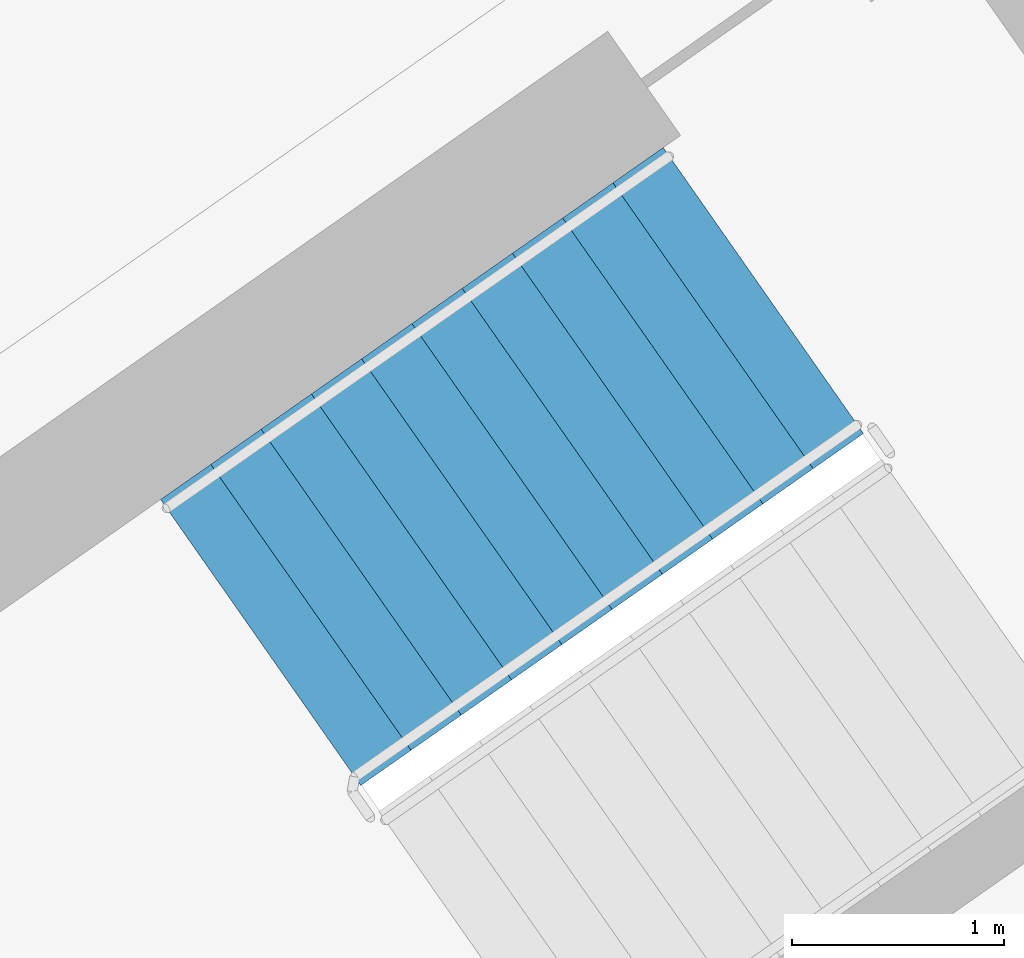
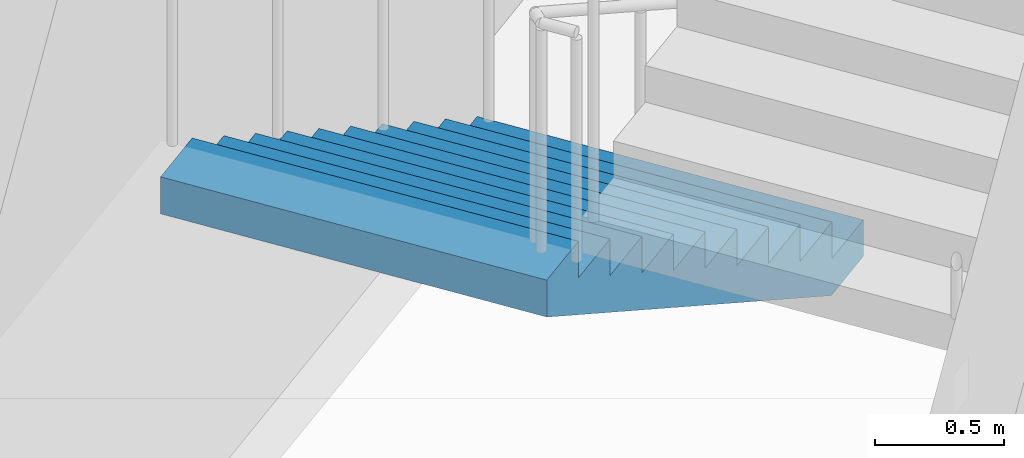
# One storey, part 17 of 28: 1 stair flight, 1 element without a shape of its own.
"""IFC4 building model written with IfcOpenShell, lengths in metres."""

from ifc_helpers import new_model, si_unit, direction, frame, origin, place, context, subcontext, project, spatial, faceted_brep, material, type_object, element, aggregate, save


model = new_model("IFC4")

# Units and contexts
model_context = context("Model", 3, precision=1e-05, world=origin(), true_north=direction((0.0, 1.0)))
body_context = subcontext(model_context, "Body", "Model", "MODEL_VIEW")
ifc_project = project(units=[si_unit("LENGTHUNIT", "METRE"), si_unit("AREAUNIT", "SQUARE_METRE"), si_unit("VOLUMEUNIT", "CUBIC_METRE"), si_unit("PLANEANGLEUNIT", "RADIAN"), si_unit("MASSUNIT", "GRAM", prefix="KILO")], contexts=[model_context])

# Site, building, storey
site_placement = place(None, origin())
site = spatial("IfcSite", under=ifc_project, at=site_placement, CompositionType="ELEMENT")
building_placement = place(site_placement, origin())
building = spatial("IfcBuilding", under=site, at=building_placement, Name="Qamariyya Broadcast Tower", CompositionType="ELEMENT")
storey_placement = place(building_placement, frame((0.0, 0.0, 218.89990234375)))
storey = spatial("IfcBuildingStorey", under=building, at=storey_placement, Name="L52", CompositionType="ELEMENT", Elevation=218.89990234375)

# Stair, stair flight
ifc_material = material(Name="Concrete C50/60", Category="concrete")
stair_type = type_object("IfcStairType", Name="Exit stair 22 risers of 173 mm", PredefinedType="HALF_TURN_STAIR", material=ifc_material)
stair_placement = place(storey_placement, origin())
stair = element("IfcStair", 1, at=stair_placement, inside=storey, type_object=stair_type, Name="L52 Stair E2", PredefinedType="HALF_TURN_STAIR")
stair_flight_type = type_object("IfcStairFlightType", Name="Exit stair flight 11 risers of 173 mm", PredefinedType="STRAIGHT", material=ifc_material)
stair_flight_placement = place(storey_placement, frame((40.558837890625, -47.685302734375, 0.0), z_axis=(0.0, 0.0, 1.0), x_axis=(-0.819152044289, -0.573576436351, 0.0)))
stair_flight = element("IfcStairFlight", 2, at=stair_flight_placement, type_object=stair_flight_type, Name="ST-E2 flight 1", NumberOfRisers=11, NumberOfTreads=10, PredefinedType="STRAIGHT", RiserHeight=0.172727273, TreadLength=0.29, context=body_context, shape_type="Brep", body=[
    faceted_brep([(0.0, 0.824951171875, 0.0), (0.0, 0.824951171875, 0.172607421875), (0.2900390625, 0.824951171875, 0.172607421875), (0.2900390625, 0.824951171875, 0.345458984375), (0.580078125, 0.824951171875, 0.345458984375), (0.580078125, 0.824951171875, 0.51806640625), (0.8701171875, 0.824951171875, 0.51806640625), (0.8701171875, 0.824951171875, 0.69091796875), (1.159912109375, 0.824951171875, 0.69091796875), (1.159912109375, 0.824951171875, 0.863525390625), (1.449951171875, 0.824951171875, 0.863525390625), (1.449951171875, 0.824951171875, 1.036376953125), (1.739990234375, 0.824951171875, 1.036376953125), (1.739990234375, 0.824951171875, 1.208984375), (2.030029296875, 0.824951171875, 1.208984375), (2.030029296875, 0.824951171875, 1.3818359375), (2.320068359375, 0.824951171875, 1.3818359375), (2.320068359375, 0.824951171875, 1.554443359375), (2.610107421875, 0.824951171875, 1.554443359375), (2.610107421875, 0.824951171875, 1.727294921875), (2.89990234375, 0.824951171875, 1.727294921875), (2.89990234375, 0.824951171875, 1.552734375), (0.29296875, 0.824951171875, 0.0), (0.29296875, -0.824951171875, 0.0), (2.89990234375, -0.824951171875, 1.552734375), (2.89990234375, -0.824951171875, 1.727294921875), (2.610107421875, -0.824951171875, 1.727294921875), (2.610107421875, -0.824951171875, 1.554443359375), (2.320068359375, -0.824951171875, 1.554443359375), (2.320068359375, -0.824951171875, 1.3818359375), (2.030029296875, -0.824951171875, 1.3818359375), (2.030029296875, -0.824951171875, 1.208984375), (1.739990234375, -0.824951171875, 1.208984375), (1.739990234375, -0.824951171875, 1.036376953125), (1.449951171875, -0.824951171875, 1.036376953125), (1.449951171875, -0.824951171875, 0.863525390625), (1.159912109375, -0.824951171875, 0.863525390625), (1.159912109375, -0.824951171875, 0.69091796875), (0.8701171875, -0.824951171875, 0.69091796875), (0.8701171875, -0.824951171875, 0.51806640625), (0.580078125, -0.824951171875, 0.51806640625), (0.580078125, -0.824951171875, 0.345458984375), (0.2900390625, -0.824951171875, 0.345458984375), (0.2900390625, -0.824951171875, 0.172607421875), (0.0, -0.824951171875, 0.172607421875), (0.0, -0.824951171875, 0.0), (0.0, 0.10009765625, 0.0), (0.0, 0.086669921875, 0.0), (0.0, 0.0732421875, 0.0), (0.0, 0.06005859375, 0.0), (0.0, 0.046630859375, 0.0), (0.0, 0.033447265625, 0.0), (0.0, 0.02001953125, 0.0), (0.0, 0.006591796875, 0.0), (0.0, -0.006591796875, 0.0), (0.0, -0.02001953125, 0.0), (0.0, -0.033447265625, 0.0), (0.0, -0.046630859375, 0.0), (0.0, -0.06005859375, 0.0), (0.0, -0.0732421875, 0.0), (0.0, -0.086669921875, 0.0), (0.0, -0.10009765625, 0.0), (0.0, -0.10009765625, 0.172607421875), (0.0, -0.086669921875, 0.172607421875), (0.0, -0.0732421875, 0.172607421875), (0.0, -0.06005859375, 0.172607421875), (0.0, -0.046630859375, 0.172607421875), (0.0, -0.033447265625, 0.172607421875), (0.0, -0.02001953125, 0.172607421875), (0.0, -0.006591796875, 0.172607421875), (0.0, 0.006591796875, 0.172607421875), (0.0, 0.02001953125, 0.172607421875), (0.0, 0.033447265625, 0.172607421875), (0.0, 0.046630859375, 0.172607421875), (0.0, 0.06005859375, 0.172607421875), (0.0, 0.0732421875, 0.172607421875), (0.0, 0.086669921875, 0.172607421875), (0.0, 0.10009765625, 0.172607421875), (0.2900390625, -0.10009765625, 0.172607421875), (0.2900390625, -0.086669921875, 0.172607421875), (0.2900390625, -0.0732421875, 0.172607421875), (0.2900390625, -0.06005859375, 0.172607421875), (0.2900390625, -0.046630859375, 0.172607421875), (0.2900390625, -0.033447265625, 0.172607421875), (0.2900390625, -0.02001953125, 0.172607421875), (0.2900390625, -0.006591796875, 0.172607421875), (0.2900390625, 0.006591796875, 0.172607421875), (0.2900390625, 0.02001953125, 0.172607421875), (0.2900390625, 0.033447265625, 0.172607421875), (0.2900390625, 0.046630859375, 0.172607421875), (0.2900390625, 0.06005859375, 0.172607421875), (0.2900390625, 0.0732421875, 0.172607421875), (0.2900390625, 0.086669921875, 0.172607421875), (0.2900390625, 0.10009765625, 0.172607421875), (0.2900390625, -0.10009765625, 0.345458984375), (0.2900390625, -0.086669921875, 0.345458984375), (0.2900390625, -0.0732421875, 0.345458984375), (0.2900390625, -0.06005859375, 0.345458984375), (0.2900390625, -0.046630859375, 0.345458984375), (0.2900390625, -0.033447265625, 0.345458984375), (0.2900390625, -0.02001953125, 0.345458984375), (0.2900390625, -0.006591796875, 0.345458984375), (0.2900390625, 0.006591796875, 0.345458984375), (0.2900390625, 0.02001953125, 0.345458984375), (0.2900390625, 0.033447265625, 0.345458984375), (0.2900390625, 0.046630859375, 0.345458984375), (0.2900390625, 0.06005859375, 0.345458984375), (0.2900390625, 0.0732421875, 0.345458984375), (0.2900390625, 0.086669921875, 0.345458984375), (0.2900390625, 0.10009765625, 0.345458984375), (0.580078125, -0.10009765625, 0.345458984375), (0.580078125, -0.086669921875, 0.345458984375), (0.580078125, -0.0732421875, 0.345458984375), (0.580078125, -0.06005859375, 0.345458984375), (0.580078125, -0.046630859375, 0.345458984375), (0.580078125, -0.033447265625, 0.345458984375), (0.580078125, -0.02001953125, 0.345458984375), (0.580078125, -0.006591796875, 0.345458984375), (0.580078125, 0.006591796875, 0.345458984375), (0.580078125, 0.02001953125, 0.345458984375), (0.580078125, 0.033447265625, 0.345458984375), (0.580078125, 0.046630859375, 0.345458984375), (0.580078125, 0.06005859375, 0.345458984375), (0.580078125, 0.0732421875, 0.345458984375), (0.580078125, 0.086669921875, 0.345458984375), (0.580078125, 0.10009765625, 0.345458984375), (0.580078125, -0.10009765625, 0.51806640625), (0.580078125, -0.086669921875, 0.51806640625), (0.580078125, -0.0732421875, 0.51806640625), (0.580078125, -0.06005859375, 0.51806640625), (0.580078125, -0.046630859375, 0.51806640625), (0.580078125, -0.033447265625, 0.51806640625), (0.580078125, -0.02001953125, 0.51806640625), (0.580078125, -0.006591796875, 0.51806640625), (0.580078125, 0.006591796875, 0.51806640625), (0.580078125, 0.02001953125, 0.51806640625), (0.580078125, 0.033447265625, 0.51806640625), (0.580078125, 0.046630859375, 0.51806640625), (0.580078125, 0.06005859375, 0.51806640625), (0.580078125, 0.0732421875, 0.51806640625), (0.580078125, 0.086669921875, 0.51806640625), (0.580078125, 0.10009765625, 0.51806640625), (0.8701171875, -0.10009765625, 0.51806640625), (0.8701171875, -0.086669921875, 0.51806640625), (0.8701171875, -0.0732421875, 0.51806640625), (0.8701171875, -0.06005859375, 0.51806640625), (0.8701171875, -0.046630859375, 0.51806640625), (0.8701171875, -0.033447265625, 0.51806640625), (0.8701171875, -0.02001953125, 0.51806640625), (0.8701171875, -0.006591796875, 0.51806640625), (0.8701171875, 0.006591796875, 0.51806640625), (0.8701171875, 0.02001953125, 0.51806640625), (0.8701171875, 0.033447265625, 0.51806640625), (0.8701171875, 0.046630859375, 0.51806640625), (0.8701171875, 0.06005859375, 0.51806640625), (0.8701171875, 0.0732421875, 0.51806640625), (0.8701171875, 0.086669921875, 0.51806640625), (0.8701171875, 0.10009765625, 0.51806640625), (0.8701171875, -0.10009765625, 0.69091796875), (0.8701171875, -0.086669921875, 0.69091796875), (0.8701171875, -0.0732421875, 0.69091796875), (0.8701171875, -0.06005859375, 0.69091796875), (0.8701171875, -0.046630859375, 0.69091796875), (0.8701171875, -0.033447265625, 0.69091796875), (0.8701171875, -0.02001953125, 0.69091796875), (0.8701171875, -0.006591796875, 0.69091796875), (0.8701171875, 0.006591796875, 0.69091796875), (0.8701171875, 0.02001953125, 0.69091796875), (0.8701171875, 0.033447265625, 0.69091796875), (0.8701171875, 0.046630859375, 0.69091796875), (0.8701171875, 0.06005859375, 0.69091796875), (0.8701171875, 0.0732421875, 0.69091796875), (0.8701171875, 0.086669921875, 0.69091796875), (0.8701171875, 0.10009765625, 0.69091796875), (1.159912109375, -0.10009765625, 0.69091796875), (1.159912109375, -0.086669921875, 0.69091796875), (1.159912109375, -0.0732421875, 0.69091796875), (1.159912109375, -0.06005859375, 0.69091796875), (1.159912109375, -0.046630859375, 0.69091796875), (1.159912109375, -0.033447265625, 0.69091796875), (1.159912109375, -0.02001953125, 0.69091796875), (1.159912109375, -0.006591796875, 0.69091796875), (1.159912109375, 0.006591796875, 0.69091796875), (1.159912109375, 0.02001953125, 0.69091796875), (1.159912109375, 0.033447265625, 0.69091796875), (1.159912109375, 0.046630859375, 0.69091796875), (1.159912109375, 0.06005859375, 0.69091796875), (1.159912109375, 0.0732421875, 0.69091796875), (1.159912109375, 0.086669921875, 0.69091796875), (1.159912109375, 0.10009765625, 0.69091796875), (1.159912109375, -0.10009765625, 0.863525390625), (1.159912109375, -0.086669921875, 0.863525390625), (1.159912109375, -0.0732421875, 0.863525390625), (1.159912109375, -0.06005859375, 0.863525390625), (1.159912109375, -0.046630859375, 0.863525390625), (1.159912109375, -0.033447265625, 0.863525390625), (1.159912109375, -0.02001953125, 0.863525390625), (1.159912109375, -0.006591796875, 0.863525390625), (1.159912109375, 0.006591796875, 0.863525390625), (1.159912109375, 0.02001953125, 0.863525390625), (1.159912109375, 0.033447265625, 0.863525390625), (1.159912109375, 0.046630859375, 0.863525390625), (1.159912109375, 0.06005859375, 0.863525390625), (1.159912109375, 0.0732421875, 0.863525390625), (1.159912109375, 0.086669921875, 0.863525390625), (1.159912109375, 0.10009765625, 0.863525390625), (1.449951171875, -0.10009765625, 0.863525390625), (1.449951171875, -0.086669921875, 0.863525390625), (1.449951171875, -0.0732421875, 0.863525390625), (1.449951171875, -0.06005859375, 0.863525390625), (1.449951171875, -0.046630859375, 0.863525390625), (1.449951171875, -0.033447265625, 0.863525390625), (1.449951171875, -0.02001953125, 0.863525390625), (1.449951171875, -0.006591796875, 0.863525390625), (1.449951171875, 0.006591796875, 0.863525390625), (1.449951171875, 0.02001953125, 0.863525390625), (1.449951171875, 0.033447265625, 0.863525390625), (1.449951171875, 0.046630859375, 0.863525390625), (1.449951171875, 0.06005859375, 0.863525390625), (1.449951171875, 0.0732421875, 0.863525390625), (1.449951171875, 0.086669921875, 0.863525390625), (1.449951171875, 0.10009765625, 0.863525390625), (1.449951171875, -0.10009765625, 1.036376953125), (1.449951171875, -0.086669921875, 1.036376953125), (1.449951171875, -0.0732421875, 1.036376953125), (1.449951171875, -0.06005859375, 1.036376953125), (1.449951171875, -0.046630859375, 1.036376953125), (1.449951171875, -0.033447265625, 1.036376953125), (1.449951171875, -0.02001953125, 1.036376953125), (1.449951171875, -0.006591796875, 1.036376953125), (1.449951171875, 0.006591796875, 1.036376953125), (1.449951171875, 0.02001953125, 1.036376953125), (1.449951171875, 0.033447265625, 1.036376953125), (1.449951171875, 0.046630859375, 1.036376953125), (1.449951171875, 0.06005859375, 1.036376953125), (1.449951171875, 0.0732421875, 1.036376953125), (1.449951171875, 0.086669921875, 1.036376953125), (1.449951171875, 0.10009765625, 1.036376953125), (1.739990234375, -0.10009765625, 1.036376953125), (1.739990234375, -0.086669921875, 1.036376953125), (1.739990234375, -0.0732421875, 1.036376953125), (1.739990234375, -0.06005859375, 1.036376953125), (1.739990234375, -0.046630859375, 1.036376953125), (1.739990234375, -0.033447265625, 1.036376953125), (1.739990234375, -0.02001953125, 1.036376953125), (1.739990234375, -0.006591796875, 1.036376953125), (1.739990234375, 0.006591796875, 1.036376953125), (1.739990234375, 0.02001953125, 1.036376953125), (1.739990234375, 0.033447265625, 1.036376953125), (1.739990234375, 0.046630859375, 1.036376953125), (1.739990234375, 0.06005859375, 1.036376953125), (1.739990234375, 0.0732421875, 1.036376953125), (1.739990234375, 0.086669921875, 1.036376953125), (1.739990234375, 0.10009765625, 1.036376953125), (1.739990234375, -0.10009765625, 1.208984375), (1.739990234375, -0.086669921875, 1.208984375), (1.739990234375, -0.0732421875, 1.208984375), (1.739990234375, -0.06005859375, 1.208984375), (1.739990234375, -0.046630859375, 1.208984375), (1.739990234375, -0.033447265625, 1.208984375), (1.739990234375, -0.02001953125, 1.208984375), (1.739990234375, -0.006591796875, 1.208984375), (1.739990234375, 0.006591796875, 1.208984375), (1.739990234375, 0.02001953125, 1.208984375), (1.739990234375, 0.033447265625, 1.208984375), (1.739990234375, 0.046630859375, 1.208984375), (1.739990234375, 0.06005859375, 1.208984375), (1.739990234375, 0.0732421875, 1.208984375), (1.739990234375, 0.086669921875, 1.208984375), (1.739990234375, 0.10009765625, 1.208984375), (2.030029296875, -0.10009765625, 1.208984375), (2.030029296875, -0.086669921875, 1.208984375), (2.030029296875, -0.0732421875, 1.208984375), (2.030029296875, -0.06005859375, 1.208984375), (2.030029296875, -0.046630859375, 1.208984375), (2.030029296875, -0.033447265625, 1.208984375), (2.030029296875, -0.02001953125, 1.208984375), (2.030029296875, -0.006591796875, 1.208984375), (2.030029296875, 0.006591796875, 1.208984375), (2.030029296875, 0.02001953125, 1.208984375), (2.030029296875, 0.033447265625, 1.208984375), (2.030029296875, 0.046630859375, 1.208984375), (2.030029296875, 0.06005859375, 1.208984375), (2.030029296875, 0.0732421875, 1.208984375), (2.030029296875, 0.086669921875, 1.208984375), (2.030029296875, 0.10009765625, 1.208984375), (2.030029296875, -0.10009765625, 1.3818359375), (2.030029296875, -0.086669921875, 1.3818359375), (2.030029296875, -0.0732421875, 1.3818359375), (2.030029296875, -0.06005859375, 1.3818359375), (2.030029296875, -0.046630859375, 1.3818359375), (2.030029296875, -0.033447265625, 1.3818359375), (2.030029296875, -0.02001953125, 1.3818359375), (2.030029296875, -0.006591796875, 1.3818359375), (2.030029296875, 0.006591796875, 1.3818359375), (2.030029296875, 0.02001953125, 1.3818359375), (2.030029296875, 0.033447265625, 1.3818359375), (2.030029296875, 0.046630859375, 1.3818359375), (2.030029296875, 0.06005859375, 1.3818359375), (2.030029296875, 0.0732421875, 1.3818359375), (2.030029296875, 0.086669921875, 1.3818359375), (2.030029296875, 0.10009765625, 1.3818359375), (2.320068359375, -0.10009765625, 1.3818359375), (2.320068359375, -0.086669921875, 1.3818359375), (2.320068359375, -0.0732421875, 1.3818359375), (2.320068359375, -0.06005859375, 1.3818359375), (2.320068359375, -0.046630859375, 1.3818359375), (2.320068359375, -0.033447265625, 1.3818359375), (2.320068359375, -0.02001953125, 1.3818359375), (2.320068359375, -0.006591796875, 1.3818359375), (2.320068359375, 0.006591796875, 1.3818359375), (2.320068359375, 0.02001953125, 1.3818359375), (2.320068359375, 0.033447265625, 1.3818359375), (2.320068359375, 0.046630859375, 1.3818359375), (2.320068359375, 0.06005859375, 1.3818359375), (2.320068359375, 0.0732421875, 1.3818359375), (2.320068359375, 0.086669921875, 1.3818359375), (2.320068359375, 0.10009765625, 1.3818359375), (2.320068359375, -0.10009765625, 1.554443359375), (2.320068359375, -0.086669921875, 1.554443359375), (2.320068359375, -0.0732421875, 1.554443359375), (2.320068359375, -0.06005859375, 1.554443359375), (2.320068359375, -0.046630859375, 1.554443359375), (2.320068359375, -0.033447265625, 1.554443359375), (2.320068359375, -0.02001953125, 1.554443359375), (2.320068359375, -0.006591796875, 1.554443359375), (2.320068359375, 0.006591796875, 1.554443359375), (2.320068359375, 0.02001953125, 1.554443359375), (2.320068359375, 0.033447265625, 1.554443359375), (2.320068359375, 0.046630859375, 1.554443359375), (2.320068359375, 0.06005859375, 1.554443359375), (2.320068359375, 0.0732421875, 1.554443359375), (2.320068359375, 0.086669921875, 1.554443359375), (2.320068359375, 0.10009765625, 1.554443359375), (2.610107421875, -0.10009765625, 1.554443359375), (2.610107421875, -0.086669921875, 1.554443359375), (2.610107421875, -0.0732421875, 1.554443359375), (2.610107421875, -0.06005859375, 1.554443359375), (2.610107421875, -0.046630859375, 1.554443359375), (2.610107421875, -0.033447265625, 1.554443359375), (2.610107421875, -0.02001953125, 1.554443359375), (2.610107421875, -0.006591796875, 1.554443359375), (2.610107421875, 0.006591796875, 1.554443359375), (2.610107421875, 0.02001953125, 1.554443359375), (2.610107421875, 0.033447265625, 1.554443359375), (2.610107421875, 0.046630859375, 1.554443359375), (2.610107421875, 0.06005859375, 1.554443359375), (2.610107421875, 0.0732421875, 1.554443359375), (2.610107421875, 0.086669921875, 1.554443359375), (2.610107421875, 0.10009765625, 1.554443359375), (2.610107421875, -0.10009765625, 1.727294921875), (2.610107421875, -0.086669921875, 1.727294921875), (2.610107421875, -0.0732421875, 1.727294921875), (2.610107421875, -0.06005859375, 1.727294921875), (2.610107421875, -0.046630859375, 1.727294921875), (2.610107421875, -0.033447265625, 1.727294921875), (2.610107421875, -0.02001953125, 1.727294921875), (2.610107421875, -0.006591796875, 1.727294921875), (2.610107421875, 0.006591796875, 1.727294921875), (2.610107421875, 0.02001953125, 1.727294921875), (2.610107421875, 0.033447265625, 1.727294921875), (2.610107421875, 0.046630859375, 1.727294921875), (2.610107421875, 0.06005859375, 1.727294921875), (2.610107421875, 0.0732421875, 1.727294921875), (2.610107421875, 0.086669921875, 1.727294921875), (2.610107421875, 0.10009765625, 1.727294921875), (2.89990234375, -0.10009765625, 1.727294921875), (2.89990234375, -0.086669921875, 1.727294921875), (2.89990234375, -0.0732421875, 1.727294921875), (2.89990234375, -0.06005859375, 1.727294921875), (2.89990234375, -0.046630859375, 1.727294921875), (2.89990234375, -0.033447265625, 1.727294921875), (2.89990234375, -0.02001953125, 1.727294921875), (2.89990234375, -0.006591796875, 1.727294921875), (2.89990234375, 0.006591796875, 1.727294921875), (2.89990234375, 0.02001953125, 1.727294921875), (2.89990234375, 0.033447265625, 1.727294921875), (2.89990234375, 0.046630859375, 1.727294921875), (2.89990234375, 0.06005859375, 1.727294921875), (2.89990234375, 0.0732421875, 1.727294921875), (2.89990234375, 0.086669921875, 1.727294921875), (2.89990234375, 0.10009765625, 1.727294921875), (2.89990234375, -0.10009765625, 1.552734375), (2.89990234375, -0.086669921875, 1.552734375), (2.89990234375, -0.0732421875, 1.552734375), (2.89990234375, -0.06005859375, 1.552734375), (2.89990234375, -0.046630859375, 1.552734375), (2.89990234375, -0.033447265625, 1.552734375), (2.89990234375, -0.02001953125, 1.552734375), (2.89990234375, -0.006591796875, 1.552734375), (2.89990234375, 0.006591796875, 1.552734375), (2.89990234375, 0.02001953125, 1.552734375), (2.89990234375, 0.033447265625, 1.552734375), (2.89990234375, 0.046630859375, 1.552734375), (2.89990234375, 0.06005859375, 1.552734375), (2.89990234375, 0.0732421875, 1.552734375), (2.89990234375, 0.086669921875, 1.552734375), (2.89990234375, 0.10009765625, 1.552734375), (0.29296875, -0.10009765625, 0.0), (0.29296875, -0.086669921875, 0.0), (0.29296875, -0.0732421875, 0.0), (0.29296875, -0.06005859375, 0.0), (0.29296875, -0.046630859375, 0.0), (0.29296875, -0.033447265625, 0.0), (0.29296875, -0.02001953125, 0.0), (0.29296875, -0.006591796875, 0.0), (0.29296875, 0.006591796875, 0.0), (0.29296875, 0.02001953125, 0.0), (0.29296875, 0.033447265625, 0.0), (0.29296875, 0.046630859375, 0.0), (0.29296875, 0.06005859375, 0.0), (0.29296875, 0.0732421875, 0.0), (0.29296875, 0.086669921875, 0.0), (0.29296875, 0.10009765625, 0.0)], [[[0, 1, 2, 3, 4, 5, 6, 7, 8, 9, 10, 11, 12, 13, 14, 15, 16, 17, 18, 19, 20, 21, 22]], [[23, 24, 25, 26, 27, 28, 29, 30, 31, 32, 33, 34, 35, 36, 37, 38, 39, 40, 41, 42, 43, 44, 45]], [[0, 46, 47, 48, 49, 50, 51, 52, 53, 54, 55, 56, 57, 58, 59, 60, 61, 45, 44, 62, 63, 64, 65, 66, 67, 68, 69, 70, 71, 72, 73, 74, 75, 76, 77, 1]], [[1, 77, 76, 75, 74, 73, 72, 71, 70, 69, 68, 67, 66, 65, 64, 63, 62, 44, 43, 78, 79, 80, 81, 82, 83, 84, 85, 86, 87, 88, 89, 90, 91, 92, 93, 2]], [[2, 93, 92, 91, 90, 89, 88, 87, 86, 85, 84, 83, 82, 81, 80, 79, 78, 43, 42, 94, 95, 96, 97, 98, 99, 100, 101, 102, 103, 104, 105, 106, 107, 108, 109, 3]], [[3, 109, 108, 107, 106, 105, 104, 103, 102, 101, 100, 99, 98, 97, 96, 95, 94, 42, 41, 110, 111, 112, 113, 114, 115, 116, 117, 118, 119, 120, 121, 122, 123, 124, 125, 4]], [[4, 125, 124, 123, 122, 121, 120, 119, 118, 117, 116, 115, 114, 113, 112, 111, 110, 41, 40, 126, 127, 128, 129, 130, 131, 132, 133, 134, 135, 136, 137, 138, 139, 140, 141, 5]], [[5, 141, 140, 139, 138, 137, 136, 135, 134, 133, 132, 131, 130, 129, 128, 127, 126, 40, 39, 142, 143, 144, 145, 146, 147, 148, 149, 150, 151, 152, 153, 154, 155, 156, 157, 6]], [[6, 157, 156, 155, 154, 153, 152, 151, 150, 149, 148, 147, 146, 145, 144, 143, 142, 39, 38, 158, 159, 160, 161, 162, 163, 164, 165, 166, 167, 168, 169, 170, 171, 172, 173, 7]], [[7, 173, 172, 171, 170, 169, 168, 167, 166, 165, 164, 163, 162, 161, 160, 159, 158, 38, 37, 174, 175, 176, 177, 178, 179, 180, 181, 182, 183, 184, 185, 186, 187, 188, 189, 8]], [[8, 189, 188, 187, 186, 185, 184, 183, 182, 181, 180, 179, 178, 177, 176, 175, 174, 37, 36, 190, 191, 192, 193, 194, 195, 196, 197, 198, 199, 200, 201, 202, 203, 204, 205, 9]], [[9, 205, 204, 203, 202, 201, 200, 199, 198, 197, 196, 195, 194, 193, 192, 191, 190, 36, 35, 206, 207, 208, 209, 210, 211, 212, 213, 214, 215, 216, 217, 218, 219, 220, 221, 10]], [[10, 221, 220, 219, 218, 217, 216, 215, 214, 213, 212, 211, 210, 209, 208, 207, 206, 35, 34, 222, 223, 224, 225, 226, 227, 228, 229, 230, 231, 232, 233, 234, 235, 236, 237, 11]], [[11, 237, 236, 235, 234, 233, 232, 231, 230, 229, 228, 227, 226, 225, 224, 223, 222, 34, 33, 238, 239, 240, 241, 242, 243, 244, 245, 246, 247, 248, 249, 250, 251, 252, 253, 12]], [[12, 253, 252, 251, 250, 249, 248, 247, 246, 245, 244, 243, 242, 241, 240, 239, 238, 33, 32, 254, 255, 256, 257, 258, 259, 260, 261, 262, 263, 264, 265, 266, 267, 268, 269, 13]], [[13, 269, 268, 267, 266, 265, 264, 263, 262, 261, 260, 259, 258, 257, 256, 255, 254, 32, 31, 270, 271, 272, 273, 274, 275, 276, 277, 278, 279, 280, 281, 282, 283, 284, 285, 14]], [[14, 285, 284, 283, 282, 281, 280, 279, 278, 277, 276, 275, 274, 273, 272, 271, 270, 31, 30, 286, 287, 288, 289, 290, 291, 292, 293, 294, 295, 296, 297, 298, 299, 300, 301, 15]], [[15, 301, 300, 299, 298, 297, 296, 295, 294, 293, 292, 291, 290, 289, 288, 287, 286, 30, 29, 302, 303, 304, 305, 306, 307, 308, 309, 310, 311, 312, 313, 314, 315, 316, 317, 16]], [[16, 317, 316, 315, 314, 313, 312, 311, 310, 309, 308, 307, 306, 305, 304, 303, 302, 29, 28, 318, 319, 320, 321, 322, 323, 324, 325, 326, 327, 328, 329, 330, 331, 332, 333, 17]], [[17, 333, 332, 331, 330, 329, 328, 327, 326, 325, 324, 323, 322, 321, 320, 319, 318, 28, 27, 334, 335, 336, 337, 338, 339, 340, 341, 342, 343, 344, 345, 346, 347, 348, 349, 18]], [[18, 349, 348, 347, 346, 345, 344, 343, 342, 341, 340, 339, 338, 337, 336, 335, 334, 27, 26, 350, 351, 352, 353, 354, 355, 356, 357, 358, 359, 360, 361, 362, 363, 364, 365, 19]], [[19, 365, 364, 363, 362, 361, 360, 359, 358, 357, 356, 355, 354, 353, 352, 351, 350, 26, 25, 366, 367, 368, 369, 370, 371, 372, 373, 374, 375, 376, 377, 378, 379, 380, 381, 20]], [[20, 381, 380, 379, 378, 377, 376, 375, 374, 373, 372, 371, 370, 369, 368, 367, 366, 25, 24, 382, 383, 384, 385, 386, 387, 388, 389, 390, 391, 392, 393, 394, 395, 396, 397, 21]], [[21, 397, 396, 395, 394, 393, 392, 391, 390, 389, 388, 387, 386, 385, 384, 383, 382, 24, 23, 398, 399, 400, 401, 402, 403, 404, 405, 406, 407, 408, 409, 410, 411, 412, 413, 22]], [[22, 413, 412, 411, 410, 409, 408, 407, 406, 405, 404, 403, 402, 401, 400, 399, 398, 23, 45, 61, 60, 59, 58, 57, 56, 55, 54, 53, 52, 51, 50, 49, 48, 47, 46, 0]]]),
])
aggregate(stair, [stair_flight])

save(model, "model.ifc")
